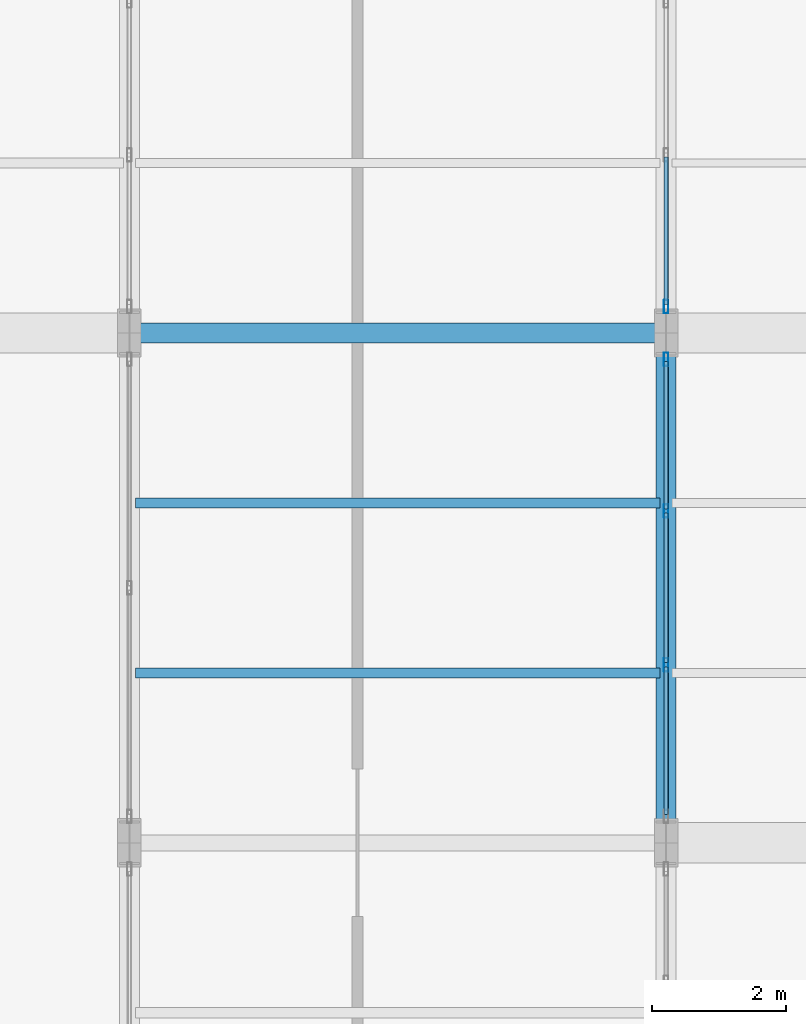
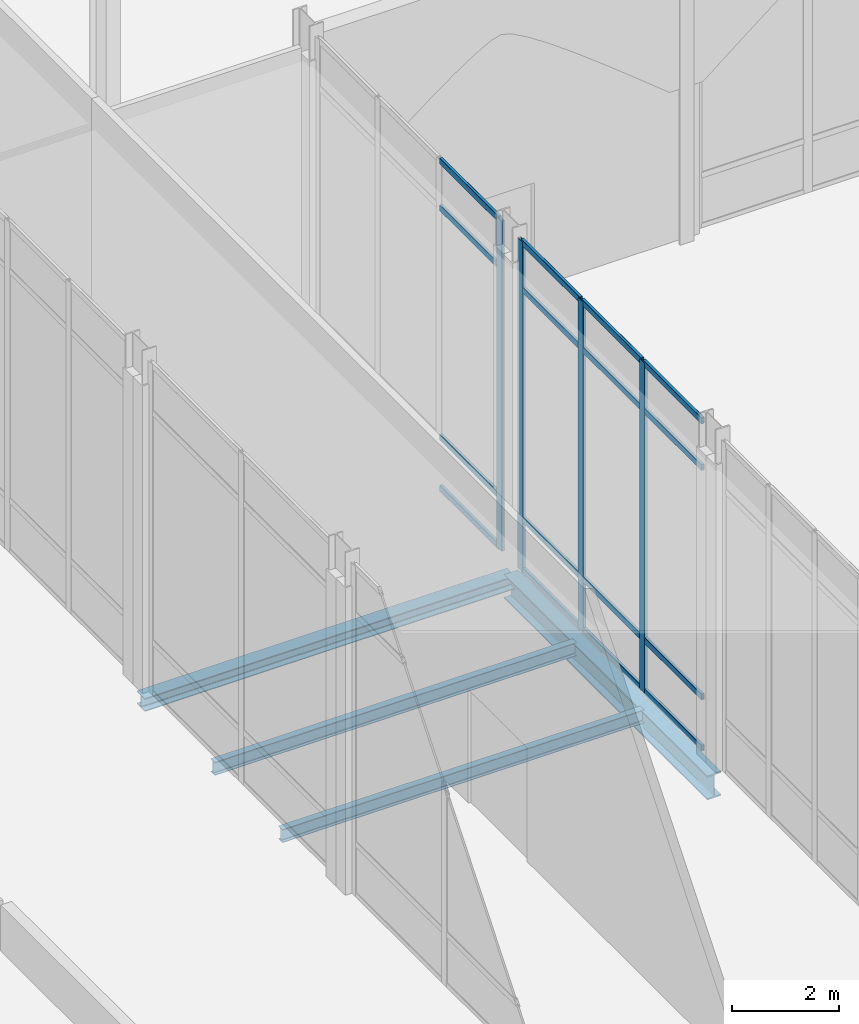
# One storey, part 74 of 176: 20 members, 4 beams, 2 elements without a shape of their own.
"""IFC4 building model written with IfcOpenShell, lengths in metres."""

from ifc_helpers import new_model, si_unit, direction, frame, origin, origin_2d, place, context, subcontext, project, spatial, hollow_rectangle, i_section, extrude, material, layer, layer_set, material_profile, profile_set, type_object, element, aggregate, save


model = new_model("IFC4")

# Units and contexts
model_context = context("Model", 3, precision=1e-05, world=origin(), true_north=direction((0.0, 1.0)))
body_context = subcontext(model_context, "Body", "Model", "MODEL_VIEW")
ifc_project = project(units=[si_unit("LENGTHUNIT", "METRE"), si_unit("AREAUNIT", "SQUARE_METRE"), si_unit("VOLUMEUNIT", "CUBIC_METRE"), si_unit("PLANEANGLEUNIT", "RADIAN"), si_unit("MASSUNIT", "GRAM", prefix="KILO")], contexts=[model_context])

# Site, building, storey
site_placement = place(None, origin())
site = spatial("IfcSite", under=ifc_project, at=site_placement, CompositionType="ELEMENT")
building_placement = place(site_placement, origin())
building = spatial("IfcBuilding", under=site, at=building_placement, Name="Vekula Escarpment Museum", CompositionType="ELEMENT")
storey_placement = place(building_placement, origin())
storey = spatial("IfcBuildingStorey", under=building, at=storey_placement, Name="L01", CompositionType="ELEMENT", Elevation=0.0)

# Beams
ifc_material_1 = material(Name="Steel S355", Category="steel")
ifc_material_profile_1 = material_profile(ifc_material_1, i_section(OverallWidth=0.300048828125, OverallDepth=0.300048828125, WebThickness=0.010986328125, FlangeThickness=0.01904296875, FilletRadius=0.027099609375, at=origin_2d()), Name="HEB 300")
ifc_profile_set_1 = profile_set([ifc_material_profile_1], Name="Steel S355")
beam_type_1 = type_object("IfcBeamType", Name="BM-GIRD-HEB300", PredefinedType="BEAM", material=ifc_profile_set_1)
beam_1_placement = place(storey_placement, frame((94.0, 113.199951171875, -0.449951171875), z_axis=(1.0, 0.0, 0.0), x_axis=(0.0, 1.0, 0.0)))
element("IfcBeam", 1, at=beam_1_placement, inside=storey, type_object=beam_type_1, Name="Beam X L01 0319", PredefinedType="BEAM", context=body_context, shape_type="SweptSolid", body=[
    extrude(i_section(OverallWidth=0.300048828125, OverallDepth=0.300048828125, WebThickness=0.010986328125, FlangeThickness=0.01904296875, FilletRadius=0.027099609375, at=origin_2d()), origin(), (0.0, 0.0, 1.0), 8.0),
])
ifc_material_2 = material(Name="Steel S355", Category="steel")
ifc_material_profile_2 = material_profile(ifc_material_2, i_section(OverallWidth=0.300048828125, OverallDepth=0.550048828125, WebThickness=0.014892578125, FlangeThickness=0.029052734375, FilletRadius=0.027099609375, at=origin_2d()), Name="HEB 550")
ifc_profile_set_2 = profile_set([ifc_material_profile_2], Name="Steel S355")
beam_type_2 = type_object("IfcBeamType", Name="BM-GIRD-HEB550", PredefinedType="BEAM", material=ifc_profile_set_2)
beam_2_placement = place(storey_placement, frame((102.0, 105.60009765625, -0.574951171875), z_axis=(0.0, 1.0, 0.0), x_axis=(-1.0, 0.0, 0.0)))
element("IfcBeam", 2, at=beam_2_placement, inside=storey, type_object=beam_type_2, Name="Beam Y L01 0608", PredefinedType="BEAM", context=body_context, shape_type="SweptSolid", body=[
    extrude(i_section(OverallWidth=0.300048828125, OverallDepth=0.550048828125, WebThickness=0.014892578125, FlangeThickness=0.029052734375, FilletRadius=0.027099609375, at=origin_2d()), origin(), (0.0, 0.0, 1.0), 7.599853515625),
])
ifc_material_3 = material(Name="Steel S355", Category="steel")
ifc_material_profile_3 = material_profile(ifc_material_3, i_section(OverallWidth=0.14990234375, OverallDepth=0.300048828125, WebThickness=0.007080078125, FlangeThickness=0.0107421875, FilletRadius=0.014892578125, at=origin_2d()), Name="IPE 300")
ifc_profile_set_3 = profile_set([ifc_material_profile_3], Name="Steel S355")
beam_type_3 = type_object("IfcBeamType", Name="BM-JST-IPE300", PredefinedType="JOIST", material=ifc_profile_set_3)
for number, where, z_axis, x_axis, name in (
    (3, (94.090087890625, 108.13330078125, -0.449951171875), (1.0, 0.0, 0.0), (0.0, 1.0, 0.0), "Secondary Joist L01 0312"),
    (4, (94.090087890625, 110.666748046875, -0.449951171875), (1.0, 0.0, 0.0), (0.0, 1.0, 0.0), "Secondary Joist L01 0313"),
):
    element("IfcBeam", number, at=place(storey_placement, frame(where, z_axis=z_axis, x_axis=x_axis)), inside=storey, type_object=beam_type_3, Name=name, PredefinedType="JOIST", context=body_context, shape_type="SweptSolid", body=[
        extrude(i_section(OverallWidth=0.14990234375, OverallDepth=0.300048828125, WebThickness=0.007080078125, FlangeThickness=0.0107421875, FilletRadius=0.014892578125, at=origin_2d()), origin(), (0.0, 0.0, 1.0), 7.81982421875),
    ])

# Curtain wall, members
ifc_material_4 = material(Name="Aluminium thermally broken framing", Category="aluminium")
ifc_layer_1 = layer(ifc_material_4, 0.169921875)
ifc_layer_set_1 = layer_set([ifc_layer_1], Name="Aluminium thermally broken framing")
curtain_wall_type_1 = type_object("IfcCurtainWallType", Name="CW-SYS-10", PredefinedType="NOTDEFINED", material=ifc_layer_set_1)
curtain_wall_1_placement = place(storey_placement, origin())
curtain_wall_1 = element("IfcCurtainWall", 5, at=curtain_wall_1_placement, inside=storey, type_object=curtain_wall_type_1, Name="Curtain Wall CW-L01-030", PredefinedType="NOTDEFINED")
ifc_material_5 = material(Name="Aluminium anodized mullion", Category="aluminium")
ifc_material_profile_4 = material_profile(ifc_material_5, hollow_rectangle(XDim=0.06494140625, YDim=0.199951171875, WallThickness=0.00390625, InnerFilletRadius=0.00390625, OuterFilletRadius=0.008056640625, at=origin_2d()), Name="ALU 200x65x4")
ifc_profile_set_4 = profile_set([ifc_material_profile_4], Name="Aluminium anodized mullion")
member_type_1 = type_object("IfcMemberType", Name="CW-MUL-200", PredefinedType="MULLION", material=ifc_profile_set_4)
member_1_placement = place(storey_placement, frame((102.0, 108.25341796875, 0.0), z_axis=(0.0, 0.0, 1.0), x_axis=(-1.0, 0.0, 0.0)))
member_1 = element("IfcMember", 6, at=member_1_placement, type_object=member_type_1, Name="CW-10 mullion 2", PredefinedType="MULLION", context=body_context, shape_type="SweptSolid", body=[
    extrude(hollow_rectangle(XDim=0.06494140625, YDim=0.199951171875, WallThickness=0.00390625, InnerFilletRadius=0.00390625, OuterFilletRadius=0.008056640625, at=origin_2d()), origin(), (0.0, 0.0, 1.0), 7.5400390625),
])
member_2_placement = place(storey_placement, frame((102.0, 110.546630859375, 0.0), z_axis=(0.0, 0.0, 1.0), x_axis=(-1.0, 0.0, 0.0)))
member_2 = element("IfcMember", 7, at=member_2_placement, type_object=member_type_1, Name="CW-10 mullion 3", PredefinedType="MULLION", context=body_context, shape_type="SweptSolid", body=[
    extrude(hollow_rectangle(XDim=0.06494140625, YDim=0.199951171875, WallThickness=0.00390625, InnerFilletRadius=0.00390625, OuterFilletRadius=0.008056640625, at=origin_2d()), origin(), (0.0, 0.0, 1.0), 7.5400390625),
])
member_3_placement = place(storey_placement, frame((102.0, 112.8076171875, 0.0), z_axis=(0.0, 0.0, 1.0), x_axis=(-1.0, 0.0, 0.0)))
member_3 = element("IfcMember", 8, at=member_3_placement, type_object=member_type_1, Name="CW-10 mullion 4", PredefinedType="MULLION", context=body_context, shape_type="SweptSolid", body=[
    extrude(hollow_rectangle(XDim=0.06494140625, YDim=0.199951171875, WallThickness=0.00390625, InnerFilletRadius=0.00390625, OuterFilletRadius=0.008056640625, at=origin_2d()), origin(), (0.0, 0.0, 1.0), 7.5400390625),
])

# Curtain wall, member
ifc_material_6 = material(Name="Aluminium thermally broken framing", Category="aluminium")
ifc_layer_2 = layer(ifc_material_6, 0.159912109375)
ifc_layer_set_2 = layer_set([ifc_layer_2], Name="Aluminium thermally broken framing")
curtain_wall_type_2 = type_object("IfcCurtainWallType", Name="CW-SYS-01", PredefinedType="NOTDEFINED", material=ifc_layer_set_2)
curtain_wall_2_placement = place(storey_placement, origin())
curtain_wall_2 = element("IfcCurtainWall", 9, at=curtain_wall_2_placement, inside=storey, type_object=curtain_wall_type_2, Name="Curtain Wall CW-L01-031", PredefinedType="NOTDEFINED")
member_4_placement = place(storey_placement, frame((102.0, 113.592529296875, 0.0), z_axis=(0.0, 0.0, 1.0), x_axis=(-1.0, 0.0, 0.0)))
member_4 = element("IfcMember", 10, at=member_4_placement, type_object=member_type_1, Name="CW-01 mullion 1", PredefinedType="MULLION", context=body_context, shape_type="SweptSolid", body=[
    extrude(hollow_rectangle(XDim=0.06494140625, YDim=0.199951171875, WallThickness=0.00390625, InnerFilletRadius=0.00390625, OuterFilletRadius=0.008056640625, at=origin_2d()), origin(), (0.0, 0.0, 1.0), 7.5400390625),
])

# Member
ifc_material_7 = material(Name="Aluminium anodized transom", Category="aluminium")
ifc_material_profile_5 = material_profile(ifc_material_7, hollow_rectangle(XDim=0.06494140625, YDim=0.139892578125, WallThickness=0.00390625, InnerFilletRadius=0.00390625, OuterFilletRadius=0.008056640625, at=origin_2d()), Name="ALU 140x65x4")
ifc_profile_set_5 = profile_set([ifc_material_profile_5], Name="Aluminium anodized transom")
member_type_2 = type_object("IfcMemberType", Name="CW-TRN-140", PredefinedType="USERDEFINED", material=ifc_profile_set_5)
member_5_placement = place(storey_placement, frame((102.0, 106.02490234375, 0.032470703125), z_axis=(0.0, 1.0, 0.0), x_axis=(-1.0, 0.0, 0.0)))
member_5 = element("IfcMember", 11, at=member_5_placement, type_object=member_type_2, Name="CW-10 transom 1.1", ObjectType="TRANSOM", PredefinedType="USERDEFINED", context=body_context, shape_type="SweptSolid", body=[
    extrude(hollow_rectangle(XDim=0.06494140625, YDim=0.139892578125, WallThickness=0.00390625, InnerFilletRadius=0.00390625, OuterFilletRadius=0.008056640625, at=origin_2d()), origin(), (0.0, 0.0, 1.0), 2.196044921875),
])

member_6_placement = place(storey_placement, frame((102.0, 106.02490234375, 1.199951171875), z_axis=(0.0, 1.0, 0.0), x_axis=(-1.0, 0.0, 0.0)))
member_6 = element("IfcMember", 12, at=member_6_placement, type_object=member_type_2, Name="CW-10 transom 1.2", ObjectType="TRANSOM", PredefinedType="USERDEFINED", context=body_context, shape_type="SweptSolid", body=[
    extrude(hollow_rectangle(XDim=0.06494140625, YDim=0.139892578125, WallThickness=0.00390625, InnerFilletRadius=0.00390625, OuterFilletRadius=0.008056640625, at=origin_2d()), origin(), (0.0, 0.0, 1.0), 2.196044921875),
])

member_7_placement = place(storey_placement, frame((102.0, 106.02490234375, 6.43994140625), z_axis=(0.0, 1.0, 0.0), x_axis=(-1.0, 0.0, 0.0)))
member_7 = element("IfcMember", 13, at=member_7_placement, type_object=member_type_2, Name="CW-10 transom 1.3", ObjectType="TRANSOM", PredefinedType="USERDEFINED", context=body_context, shape_type="SweptSolid", body=[
    extrude(hollow_rectangle(XDim=0.06494140625, YDim=0.139892578125, WallThickness=0.00390625, InnerFilletRadius=0.00390625, OuterFilletRadius=0.008056640625, at=origin_2d()), origin(), (0.0, 0.0, 1.0), 2.196044921875),
])

member_8_placement = place(storey_placement, frame((102.0, 106.02490234375, 7.507568359375), z_axis=(0.0, 1.0, 0.0), x_axis=(-1.0, 0.0, 0.0)))
member_8 = element("IfcMember", 14, at=member_8_placement, type_object=member_type_2, Name="CW-10 transom 1.4", ObjectType="TRANSOM", PredefinedType="USERDEFINED", context=body_context, shape_type="SweptSolid", body=[
    extrude(hollow_rectangle(XDim=0.06494140625, YDim=0.139892578125, WallThickness=0.00390625, InnerFilletRadius=0.00390625, OuterFilletRadius=0.008056640625, at=origin_2d()), origin(), (0.0, 0.0, 1.0), 2.196044921875),
])

member_9_placement = place(storey_placement, frame((102.0, 108.285888671875, 0.032470703125), z_axis=(0.0, 1.0, 0.0), x_axis=(-1.0, 0.0, 0.0)))
member_9 = element("IfcMember", 15, at=member_9_placement, type_object=member_type_2, Name="CW-10 transom 2.1", ObjectType="TRANSOM", PredefinedType="USERDEFINED", context=body_context, shape_type="SweptSolid", body=[
    extrude(hollow_rectangle(XDim=0.06494140625, YDim=0.139892578125, WallThickness=0.00390625, InnerFilletRadius=0.00390625, OuterFilletRadius=0.008056640625, at=origin_2d()), origin(), (0.0, 0.0, 1.0), 2.228271484375),
])

member_10_placement = place(storey_placement, frame((102.0, 108.285888671875, 1.199951171875), z_axis=(0.0, 1.0, 0.0), x_axis=(-1.0, 0.0, 0.0)))
member_10 = element("IfcMember", 16, at=member_10_placement, type_object=member_type_2, Name="CW-10 transom 2.2", ObjectType="TRANSOM", PredefinedType="USERDEFINED", context=body_context, shape_type="SweptSolid", body=[
    extrude(hollow_rectangle(XDim=0.06494140625, YDim=0.139892578125, WallThickness=0.00390625, InnerFilletRadius=0.00390625, OuterFilletRadius=0.008056640625, at=origin_2d()), origin(), (0.0, 0.0, 1.0), 2.228271484375),
])

member_11_placement = place(storey_placement, frame((102.0, 108.285888671875, 6.43994140625), z_axis=(0.0, 1.0, 0.0), x_axis=(-1.0, 0.0, 0.0)))
member_11 = element("IfcMember", 17, at=member_11_placement, type_object=member_type_2, Name="CW-10 transom 2.3", ObjectType="TRANSOM", PredefinedType="USERDEFINED", context=body_context, shape_type="SweptSolid", body=[
    extrude(hollow_rectangle(XDim=0.06494140625, YDim=0.139892578125, WallThickness=0.00390625, InnerFilletRadius=0.00390625, OuterFilletRadius=0.008056640625, at=origin_2d()), origin(), (0.0, 0.0, 1.0), 2.228271484375),
])

member_12_placement = place(storey_placement, frame((102.0, 108.285888671875, 7.507568359375), z_axis=(0.0, 1.0, 0.0), x_axis=(-1.0, 0.0, 0.0)))
member_12 = element("IfcMember", 18, at=member_12_placement, type_object=member_type_2, Name="CW-10 transom 2.4", ObjectType="TRANSOM", PredefinedType="USERDEFINED", context=body_context, shape_type="SweptSolid", body=[
    extrude(hollow_rectangle(XDim=0.06494140625, YDim=0.139892578125, WallThickness=0.00390625, InnerFilletRadius=0.00390625, OuterFilletRadius=0.008056640625, at=origin_2d()), origin(), (0.0, 0.0, 1.0), 2.228271484375),
])

member_13_placement = place(storey_placement, frame((102.0, 110.5791015625, 0.032470703125), z_axis=(0.0, 1.0, 0.0), x_axis=(-1.0, 0.0, 0.0)))
member_13 = element("IfcMember", 19, at=member_13_placement, type_object=member_type_2, Name="CW-10 transom 3.1", ObjectType="TRANSOM", PredefinedType="USERDEFINED", context=body_context, shape_type="SweptSolid", body=[
    extrude(hollow_rectangle(XDim=0.06494140625, YDim=0.139892578125, WallThickness=0.00390625, InnerFilletRadius=0.00390625, OuterFilletRadius=0.008056640625, at=origin_2d()), origin(), (0.0, 0.0, 1.0), 2.19580078125),
])

member_14_placement = place(storey_placement, frame((102.0, 110.5791015625, 1.199951171875), z_axis=(0.0, 1.0, 0.0), x_axis=(-1.0, 0.0, 0.0)))
member_14 = element("IfcMember", 20, at=member_14_placement, type_object=member_type_2, Name="CW-10 transom 3.2", ObjectType="TRANSOM", PredefinedType="USERDEFINED", context=body_context, shape_type="SweptSolid", body=[
    extrude(hollow_rectangle(XDim=0.06494140625, YDim=0.139892578125, WallThickness=0.00390625, InnerFilletRadius=0.00390625, OuterFilletRadius=0.008056640625, at=origin_2d()), origin(), (0.0, 0.0, 1.0), 2.19580078125),
])

member_15_placement = place(storey_placement, frame((102.0, 110.5791015625, 6.43994140625), z_axis=(0.0, 1.0, 0.0), x_axis=(-1.0, 0.0, 0.0)))
member_15 = element("IfcMember", 21, at=member_15_placement, type_object=member_type_2, Name="CW-10 transom 3.3", ObjectType="TRANSOM", PredefinedType="USERDEFINED", context=body_context, shape_type="SweptSolid", body=[
    extrude(hollow_rectangle(XDim=0.06494140625, YDim=0.139892578125, WallThickness=0.00390625, InnerFilletRadius=0.00390625, OuterFilletRadius=0.008056640625, at=origin_2d()), origin(), (0.0, 0.0, 1.0), 2.19580078125),
])

member_16_placement = place(storey_placement, frame((102.0, 110.5791015625, 7.507568359375), z_axis=(0.0, 1.0, 0.0), x_axis=(-1.0, 0.0, 0.0)))
member_16 = element("IfcMember", 22, at=member_16_placement, type_object=member_type_2, Name="CW-10 transom 3.4", ObjectType="TRANSOM", PredefinedType="USERDEFINED", context=body_context, shape_type="SweptSolid", body=[
    extrude(hollow_rectangle(XDim=0.06494140625, YDim=0.139892578125, WallThickness=0.00390625, InnerFilletRadius=0.00390625, OuterFilletRadius=0.008056640625, at=origin_2d()), origin(), (0.0, 0.0, 1.0), 2.19580078125),
])

aggregate(curtain_wall_1, [member_1, member_2, member_3, member_5, member_6, member_7, member_8, member_9, member_10, member_11, member_12, member_13, member_14, member_15, member_16])

member_17_placement = place(storey_placement, frame((102.0, 113.625, 0.032470703125), z_axis=(0.0, 1.0, 0.0), x_axis=(-1.0, 0.0, 0.0)))
member_17 = element("IfcMember", 23, at=member_17_placement, type_object=member_type_2, Name="CW-01 transom 1.1", ObjectType="TRANSOM", PredefinedType="USERDEFINED", context=body_context, shape_type="SweptSolid", body=[
    extrude(hollow_rectangle(XDim=0.06494140625, YDim=0.139892578125, WallThickness=0.00390625, InnerFilletRadius=0.00390625, OuterFilletRadius=0.008056640625, at=origin_2d()), origin(), (0.0, 0.0, 1.0), 2.19580078125),
])

member_18_placement = place(storey_placement, frame((102.0, 113.625, 1.199951171875), z_axis=(0.0, 1.0, 0.0), x_axis=(-1.0, 0.0, 0.0)))
member_18 = element("IfcMember", 24, at=member_18_placement, type_object=member_type_2, Name="CW-01 transom 1.2", ObjectType="TRANSOM", PredefinedType="USERDEFINED", context=body_context, shape_type="SweptSolid", body=[
    extrude(hollow_rectangle(XDim=0.06494140625, YDim=0.139892578125, WallThickness=0.00390625, InnerFilletRadius=0.00390625, OuterFilletRadius=0.008056640625, at=origin_2d()), origin(), (0.0, 0.0, 1.0), 2.19580078125),
])

member_19_placement = place(storey_placement, frame((102.0, 113.625, 6.43994140625), z_axis=(0.0, 1.0, 0.0), x_axis=(-1.0, 0.0, 0.0)))
member_19 = element("IfcMember", 25, at=member_19_placement, type_object=member_type_2, Name="CW-01 transom 1.3", ObjectType="TRANSOM", PredefinedType="USERDEFINED", context=body_context, shape_type="SweptSolid", body=[
    extrude(hollow_rectangle(XDim=0.06494140625, YDim=0.139892578125, WallThickness=0.00390625, InnerFilletRadius=0.00390625, OuterFilletRadius=0.008056640625, at=origin_2d()), origin(), (0.0, 0.0, 1.0), 2.19580078125),
])

member_20_placement = place(storey_placement, frame((102.0, 113.625, 7.507568359375), z_axis=(0.0, 1.0, 0.0), x_axis=(-1.0, 0.0, 0.0)))
member_20 = element("IfcMember", 26, at=member_20_placement, type_object=member_type_2, Name="CW-01 transom 1.4", ObjectType="TRANSOM", PredefinedType="USERDEFINED", context=body_context, shape_type="SweptSolid", body=[
    extrude(hollow_rectangle(XDim=0.06494140625, YDim=0.139892578125, WallThickness=0.00390625, InnerFilletRadius=0.00390625, OuterFilletRadius=0.008056640625, at=origin_2d()), origin(), (0.0, 0.0, 1.0), 2.19580078125),
])

aggregate(curtain_wall_2, [member_4, member_17, member_18, member_19, member_20])

save(model, "model.ifc")
